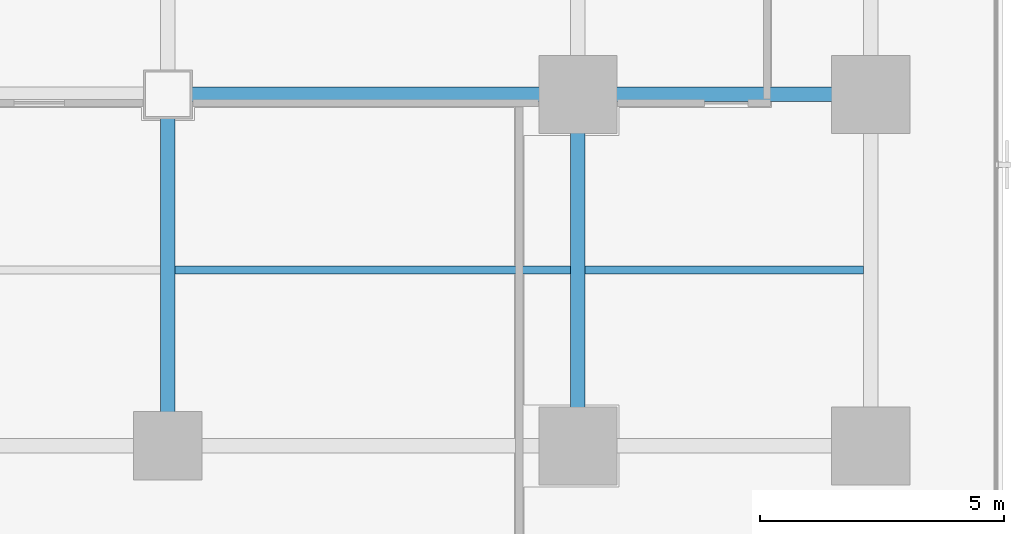
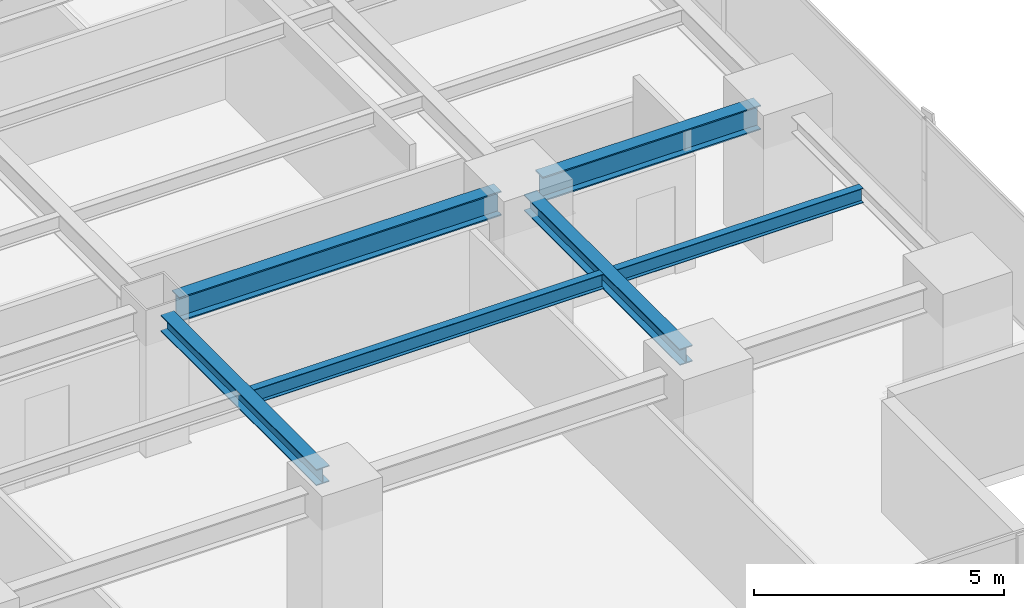
# One storey, part 13 of 34: 6 beams.
"""IFC4 building model written with IfcOpenShell, lengths in metres."""

from ifc_helpers import new_model, si_unit, direction, frame, origin, origin_2d, place, context, subcontext, project, spatial, i_section, extrude, source, transform, mapped, material, material_profile, profile_set, type_object, element, save


model = new_model("IFC4")

# Units and contexts
model_context = context("Model", 3, precision=1e-05, world=origin(), true_north=direction((0.0, 1.0)))
body_context = subcontext(model_context, "Body", "Model", "MODEL_VIEW")
ifc_project = project(units=[si_unit("LENGTHUNIT", "METRE"), si_unit("AREAUNIT", "SQUARE_METRE"), si_unit("VOLUMEUNIT", "CUBIC_METRE"), si_unit("PLANEANGLEUNIT", "RADIAN"), si_unit("MASSUNIT", "GRAM", prefix="KILO")], contexts=[model_context])

# Site, building, storey
site_placement = place(None, origin())
site = spatial("IfcSite", under=ifc_project, at=site_placement, CompositionType="ELEMENT")
building_placement = place(site_placement, origin())
building = spatial("IfcBuilding", under=site, at=building_placement, Name="Sumidabori Civic Tower", CompositionType="ELEMENT")
storey_placement = place(building_placement, frame((0.0, 0.0, 99.199951171875)))
storey = spatial("IfcBuildingStorey", under=building, at=storey_placement, Name="L25", CompositionType="ELEMENT", Elevation=99.199951171875)

# Beams
ifc_material = material(Name="Steel SN490", Category="steel")
ifc_material_profile_1 = material_profile(ifc_material, i_section(OverallWidth=0.300048828125, OverallDepth=0.60009765625, WebThickness=0.015380859375, FlangeThickness=0.030029296875, at=origin_2d()), Name="HE 600 B")
ifc_profile_set_1 = profile_set([ifc_material_profile_1], Name="Steel SN490")
beam_type_1 = type_object("IfcBeamType", Name="BM-GIRD-600", PredefinedType="BEAM", material=ifc_profile_set_1)
shared_shape_1 = source(origin(), body_context, "Body", "SweptSolid", [
    extrude(i_section(OverallWidth=0.300048828125, OverallDepth=0.60009765625, WebThickness=0.015380859375, FlangeThickness=0.030029296875, at=origin_2d()), origin(), (0.0, 0.0, 1.0), 5.0400390625),
])
beam_1_placement = place(storey_placement, frame((17.280029296875, -10.800048828125, 3.06005859375), z_axis=(1.0, 0.0, 0.0), x_axis=(0.0, 1.0, 0.0)))
element("IfcBeam", 1, at=beam_1_placement, inside=storey, type_object=beam_type_1, Name="Primary Girder L25 GX-12", PredefinedType="BEAM", context=body_context, shape_type="MappedRepresentation", body=[
    mapped(shared_shape_1, transform((0.0, 0.0, 0.0), x_axis=(1.0, 0.0, 0.0), y_axis=(0.0, 1.0, 0.0), z_axis=(0.0, 0.0, 1.0), scale=1.0)),
])
shared_shape_2 = source(origin(), body_context, "Body", "SweptSolid", [
    extrude(i_section(OverallWidth=0.300048828125, OverallDepth=0.60009765625, WebThickness=0.015380859375, FlangeThickness=0.030029296875, at=origin_2d()), origin(), (0.0, 0.0, 1.0), 7.440185546875),
])
beam_2_placement = place(storey_placement, frame((8.8798828125, -10.800048828125, 3.06005859375), z_axis=(1.0, 0.0, 0.0), x_axis=(0.0, 1.0, 0.0)))
element("IfcBeam", 2, at=beam_2_placement, inside=storey, type_object=beam_type_1, Name="Primary Girder L25 GX-11", PredefinedType="BEAM", context=body_context, shape_type="MappedRepresentation", body=[
    mapped(shared_shape_2, transform((0.0, 0.0, 0.0), x_axis=(1.0, 0.0, 0.0), y_axis=(0.0, 1.0, 0.0), z_axis=(0.0, 0.0, 1.0), scale=1.0)),
])
ifc_material_profile_2 = material_profile(ifc_material, i_section(OverallWidth=0.300048828125, OverallDepth=0.39990234375, WebThickness=0.013427734375, FlangeThickness=0.02392578125, at=origin_2d()), Name="HE 400 B")
ifc_profile_set_2 = profile_set([ifc_material_profile_2], Name="Steel SN490")
beam_type_2 = type_object("IfcBeamType", Name="BM-GIRD-400", PredefinedType="BEAM", material=ifc_profile_set_2)
shared_shape_3 = source(origin(), body_context, "Body", "SweptSolid", [
    extrude(i_section(OverallWidth=0.300048828125, OverallDepth=0.39990234375, WebThickness=0.013427734375, FlangeThickness=0.02392578125, at=origin_2d()), origin(), (0.0, 0.0, 1.0), 6.239990234375),
])
for number, where, z_axis, x_axis, name in (
    (3, (8.39990234375, -17.52001953125, 3.16015625), (0.0, 1.0, 0.0), (-1.0, 0.0, 0.0), "Primary Girder L25 GY-33"),
    (4, (16.800048828125, -17.52001953125, 3.16015625), (0.0, 1.0, 0.0), (-1.0, 0.0, 0.0), "Primary Girder L25 GY-35"),
):
    element("IfcBeam", number, at=place(storey_placement, frame(where, z_axis=z_axis, x_axis=x_axis)), inside=storey, type_object=beam_type_2, Name=name, PredefinedType="BEAM", context=body_context, shape_type="MappedRepresentation", body=[
        mapped(shared_shape_3, transform((0.0, 0.0, 0.0), x_axis=(1.0, 0.0, 0.0), y_axis=(0.0, 1.0, 0.0), z_axis=(0.0, 0.0, 1.0), scale=1.0)),
    ])
ifc_material_profile_3 = material_profile(ifc_material, i_section(OverallWidth=0.169921875, OverallDepth=0.360107421875, WebThickness=0.008056640625, FlangeThickness=0.0126953125, at=origin_2d()), Name="IPE 360")
ifc_profile_set_3 = profile_set([ifc_material_profile_3], Name="Steel SN490")
beam_type_3 = type_object("IfcBeamType", Name="BM-JST-360", PredefinedType="JOIST", material=ifc_profile_set_3)
shared_shape_4 = source(origin(), body_context, "Body", "SweptSolid", [
    extrude(i_section(OverallWidth=0.169921875, OverallDepth=0.360107421875, WebThickness=0.008056640625, FlangeThickness=0.0126953125, at=origin_2d()), origin(), (0.0, 0.0, 1.0), 5.699951171875),
])
beam_3_placement = place(storey_placement, frame((16.949951171875, -14.39990234375, 3.179931640625), z_axis=(1.0, 0.0, 0.0), x_axis=(0.0, 1.0, 0.0)))
element("IfcBeam", 5, at=beam_3_placement, inside=storey, type_object=beam_type_3, Name="Outer Bay Floor Joist L25 JSTO-52", PredefinedType="JOIST", context=body_context, shape_type="MappedRepresentation", body=[
    mapped(shared_shape_4, transform((0.0, 0.0, 0.0), x_axis=(1.0, 0.0, 0.0), y_axis=(0.0, 1.0, 0.0), z_axis=(0.0, 0.0, 1.0), scale=1.0)),
])
shared_shape_5 = source(origin(), body_context, "Body", "SweptSolid", [
    extrude(i_section(OverallWidth=0.169921875, OverallDepth=0.360107421875, WebThickness=0.008056640625, FlangeThickness=0.0126953125, at=origin_2d()), origin(), (0.0, 0.0, 1.0), 8.099853515625),
])
beam_4_placement = place(storey_placement, frame((8.550048828125, -14.39990234375, 3.179931640625), z_axis=(1.0, 0.0, 0.0), x_axis=(0.0, 1.0, 0.0)))
element("IfcBeam", 6, at=beam_4_placement, inside=storey, type_object=beam_type_3, Name="South Bay Floor Joist L25 JSTS-58", PredefinedType="JOIST", context=body_context, shape_type="MappedRepresentation", body=[
    mapped(shared_shape_5, transform((0.0, 0.0, 0.0), x_axis=(1.0, 0.0, 0.0), y_axis=(0.0, 1.0, 0.0), z_axis=(0.0, 0.0, 1.0), scale=1.0)),
])

save(model, "model.ifc")
